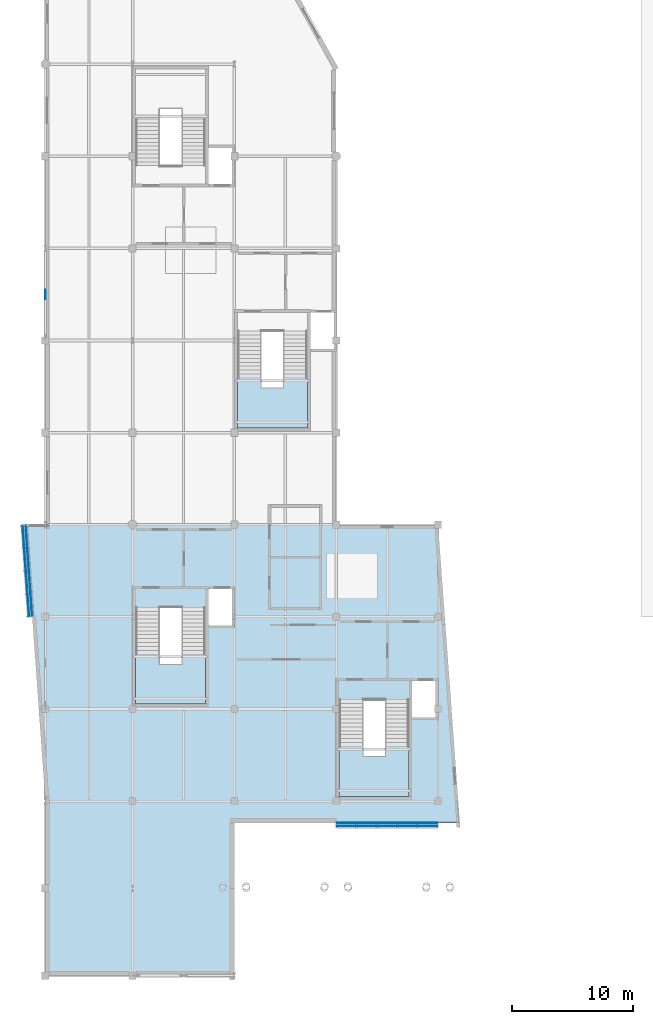
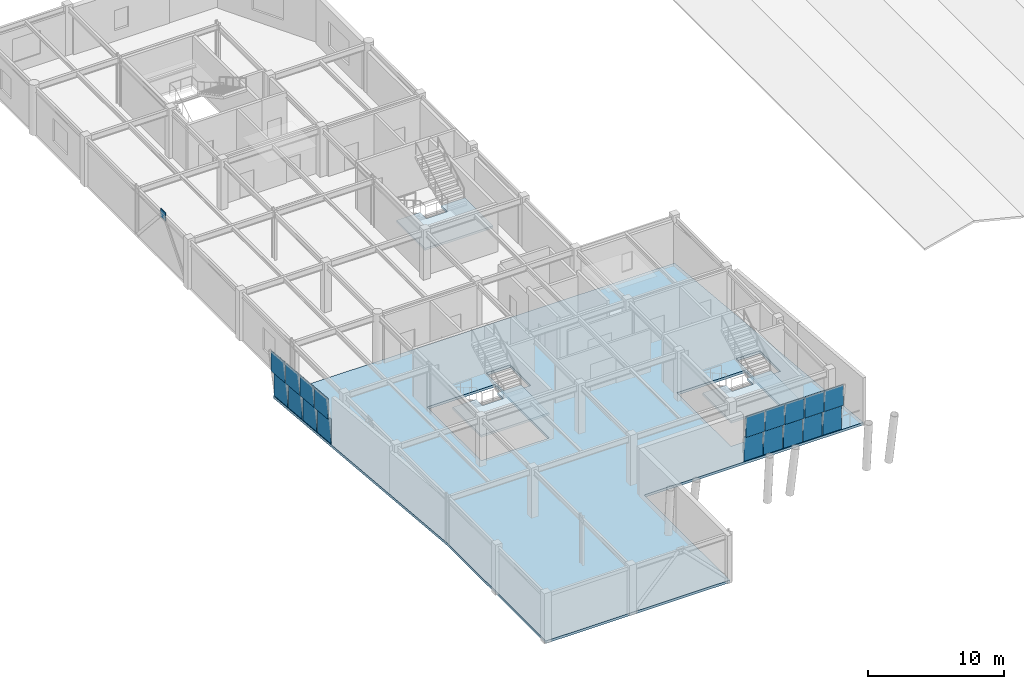
# One storey, part 12 of 28: 19 plates, 4 slabs, 5 elements without a shape of their own.
"""IFC4 building model written with IfcOpenShell, lengths in metres."""

from ifc_helpers import new_model, si_unit, direction, frame, origin, origin_2d, place, context, subcontext, project, spatial, polyline, rectangle, outline, extrude, material, layer, layer_set, type_object, element, aggregate, save


model = new_model("IFC4")

# Units and contexts
model_context = context("Model", 3, precision=1e-05, world=origin(), true_north=direction((0.0, 1.0)))
body_context = subcontext(model_context, "Body", "Model", "MODEL_VIEW")
ifc_project = project(units=[si_unit("LENGTHUNIT", "METRE"), si_unit("AREAUNIT", "SQUARE_METRE"), si_unit("VOLUMEUNIT", "CUBIC_METRE"), si_unit("PLANEANGLEUNIT", "RADIAN"), si_unit("MASSUNIT", "GRAM", prefix="KILO")], contexts=[model_context])

# Site, building, storey
site_placement = place(None, origin())
site = spatial("IfcSite", under=ifc_project, at=site_placement, CompositionType="ELEMENT")
building_placement = place(site_placement, origin())
building = spatial("IfcBuilding", under=site, at=building_placement, Name="Xicomal Pleat Aquarium", CompositionType="ELEMENT")
storey_placement = place(building_placement, frame((0.0, 0.0, 15.300048828125)))
storey = spatial("IfcBuildingStorey", under=building, at=storey_placement, Name="L04", CompositionType="ELEMENT", Elevation=15.300048828125)

# Curtain wall, plates
ifc_material_1 = material(Name="Bronze anodized aluminium 6063-T6", Category="aluminium")
ifc_layer_1 = layer(ifc_material_1, 0.159912109375)
ifc_layer_set_1 = layer_set([ifc_layer_1], Name="Bronze anodized aluminium 6063-T6")
curtain_wall_type_1 = type_object("IfcCurtainWallType", Name="CW-SYS-09", PredefinedType="NOTDEFINED", material=ifc_layer_set_1)
curtain_wall_1_placement = place(storey_placement, origin())
curtain_wall_1 = element("IfcCurtainWall", 1, at=curtain_wall_1_placement, inside=storey, type_object=curtain_wall_type_1, Name="L04 unitised curtain wall CW-L04-172", PredefinedType="NOTDEFINED")
ifc_material_2 = material(Name="Insulated low-E laminated glass", Category="glass")
ifc_layer_2 = layer(ifc_material_2, 0.028076171875)
ifc_layer_set_2 = layer_set([ifc_layer_2], Name="Insulated low-E laminated glass")
plate_type_1 = type_object("IfcPlateType", Name="CWP-GLZ-28", PredefinedType="CURTAIN_PANEL", material=ifc_layer_set_2)
plate_1_placement = place(storey_placement, frame((1.85107421875, 31.36865234375, 0.074951171875), z_axis=(0.0, 0.0, 1.0), x_axis=(-0.07087395407, 0.997485279407, 0.0)))
plate_1 = element("IfcPlate", 2, at=plate_1_placement, type_object=plate_type_1, Name="CW-09 panel 1.1", PredefinedType="CURTAIN_PANEL", context=body_context, shape_type="SweptSolid", body=[
    extrude(rectangle(XDim=1.792236328125, YDim=0.028076171875, at=origin_2d()), origin(), (0.0, 0.0, 1.0), 2.20458984375),
])
plate_2_placement = place(storey_placement, frame((1.600341796875, 31.350830078125, 2.3544921875), z_axis=(0.0, 0.0, 1.0), x_axis=(-0.07087395407, 0.997485279407, 0.0)))
plate_2 = element("IfcPlate", 3, at=plate_2_placement, type_object=plate_type_1, Name="CW-09 panel 1.2", PredefinedType="CURTAIN_PANEL", context=body_context, shape_type="SweptSolid", body=[
    extrude(rectangle(XDim=1.792236328125, YDim=0.028076171875, at=origin_2d()), origin(), (0.0, 0.0, 1.0), 1.860595703125),
])
plate_3_placement = place(storey_placement, frame((1.717529296875, 33.25, 0.074951171875), z_axis=(0.0, 0.0, 1.0), x_axis=(-0.07087395407, 0.997485279407, 0.0)))
plate_3 = element("IfcPlate", 4, at=plate_3_placement, type_object=plate_type_1, Name="CW-09 panel 2.1", PredefinedType="CURTAIN_PANEL", context=body_context, shape_type="SweptSolid", body=[
    extrude(rectangle(XDim=1.829833984375, YDim=0.028076171875, at=origin_2d()), origin(), (0.0, 0.0, 1.0), 2.20458984375),
])
plate_4_placement = place(storey_placement, frame((1.466796875, 33.232177734375, 2.3544921875), z_axis=(0.0, 0.0, 1.0), x_axis=(-0.07087395407, 0.997485279407, 0.0)))
plate_4 = element("IfcPlate", 5, at=plate_4_placement, type_object=plate_type_1, Name="CW-09 panel 2.2", PredefinedType="CURTAIN_PANEL", context=body_context, shape_type="SweptSolid", body=[
    extrude(rectangle(XDim=1.829833984375, YDim=0.028076171875, at=origin_2d()), origin(), (0.0, 0.0, 1.0), 1.860595703125),
])
plate_5_placement = place(storey_placement, frame((1.58251953125, 35.14990234375, 0.074951171875), z_axis=(0.0, 0.0, 1.0), x_axis=(-0.07087395407, 0.997485279407, 0.0)))
plate_5 = element("IfcPlate", 6, at=plate_5_placement, type_object=plate_type_1, Name="CW-09 panel 3.1", PredefinedType="CURTAIN_PANEL", context=body_context, shape_type="SweptSolid", body=[
    extrude(rectangle(XDim=1.829833984375, YDim=0.028076171875, at=origin_2d()), origin(), (0.0, 0.0, 1.0), 2.20458984375),
])
plate_6_placement = place(storey_placement, frame((1.331787109375, 35.132080078125, 2.3544921875), z_axis=(0.0, 0.0, 1.0), x_axis=(-0.07087395407, 0.997485279407, 0.0)))
plate_6 = element("IfcPlate", 7, at=plate_6_placement, type_object=plate_type_1, Name="CW-09 panel 3.2", PredefinedType="CURTAIN_PANEL", context=body_context, shape_type="SweptSolid", body=[
    extrude(rectangle(XDim=1.829833984375, YDim=0.028076171875, at=origin_2d()), origin(), (0.0, 0.0, 1.0), 1.860595703125),
])
plate_7_placement = place(storey_placement, frame((1.44873046875, 37.03125, 0.074951171875), z_axis=(0.0, 0.0, 1.0), x_axis=(-0.07087395407, 0.997485279407, 0.0)))
plate_7 = element("IfcPlate", 8, at=plate_7_placement, type_object=plate_type_1, Name="CW-09 panel 4.1", PredefinedType="CURTAIN_PANEL", context=body_context, shape_type="SweptSolid", body=[
    extrude(rectangle(XDim=1.792236328125, YDim=0.028076171875, at=origin_2d()), origin(), (0.0, 0.0, 1.0), 2.20458984375),
])
plate_8_placement = place(storey_placement, frame((1.197998046875, 37.013427734375, 2.3544921875), z_axis=(0.0, 0.0, 1.0), x_axis=(-0.07087395407, 0.997485279407, 0.0)))
plate_8 = element("IfcPlate", 9, at=plate_8_placement, type_object=plate_type_1, Name="CW-09 panel 4.2", PredefinedType="CURTAIN_PANEL", context=body_context, shape_type="SweptSolid", body=[
    extrude(rectangle(XDim=1.792236328125, YDim=0.028076171875, at=origin_2d()), origin(), (0.0, 0.0, 1.0), 1.860595703125),
])
aggregate(curtain_wall_1, [plate_1, plate_2, plate_3, plate_4, plate_5, plate_6, plate_7, plate_8])

ifc_material_3 = material(Name="Bronze anodized aluminium 6063-T6", Category="aluminium")
ifc_layer_3 = layer(ifc_material_3, 0.159912109375)
ifc_layer_set_3 = layer_set([ifc_layer_3], Name="Bronze anodized aluminium 6063-T6")
curtain_wall_type_2 = type_object("IfcCurtainWallType", Name="CW-SYS-04", PredefinedType="NOTDEFINED", material=ifc_layer_set_3)
curtain_wall_2_placement = place(storey_placement, origin())
curtain_wall_2 = element("IfcCurtainWall", 10, at=curtain_wall_2_placement, inside=storey, type_object=curtain_wall_type_2, Name="L04 unitised curtain wall CW-L04-171", PredefinedType="NOTDEFINED")
ifc_material_4 = material(Name="Insulated low-E laminated glass", Category="glass")
ifc_layer_4 = layer(ifc_material_4, 0.0419921875)
ifc_layer_set_4 = layer_set([ifc_layer_4], Name="Insulated low-E laminated glass")
plate_type_2 = type_object("IfcPlateType", Name="CWP-GLZ-42", PredefinedType="CURTAIN_PANEL", material=ifc_layer_set_4)
plate_9_placement = place(storey_placement, frame((34.543701171875, 13.3798828125, 0.06494140625), z_axis=(0.0, 0.0, 1.0), x_axis=(-1.0, 0.0, 0.0)))
plate_9 = element("IfcPlate", 11, at=plate_9_placement, type_object=plate_type_2, Name="CW-04 panel 1.1", PredefinedType="CURTAIN_PANEL", context=body_context, shape_type="SweptSolid", body=[
    extrude(rectangle(XDim=1.58251953125, YDim=0.0419921875, at=origin_2d()), origin(), (0.0, 0.0, 1.0), 2.219482421875),
])
plate_10_placement = place(storey_placement, frame((34.543701171875, 13.1279296875, 2.349609375), z_axis=(0.0, 0.0, 1.0), x_axis=(-1.0, 0.0, 0.0)))
plate_10 = element("IfcPlate", 12, at=plate_10_placement, type_object=plate_type_2, Name="CW-04 panel 1.2", PredefinedType="CURTAIN_PANEL", context=body_context, shape_type="SweptSolid", body=[
    extrude(rectangle(XDim=1.58251953125, YDim=0.0419921875, at=origin_2d()), origin(), (0.0, 0.0, 1.0), 1.87548828125),
])
plate_11_placement = place(storey_placement, frame((32.8798828125, 13.3798828125, 0.06494140625), z_axis=(0.0, 0.0, 1.0), x_axis=(-1.0, 0.0, 0.0)))
plate_11 = element("IfcPlate", 13, at=plate_11_placement, type_object=plate_type_2, Name="CW-04 panel 2.1", PredefinedType="CURTAIN_PANEL", context=body_context, shape_type="SweptSolid", body=[
    extrude(rectangle(XDim=1.614990234375, YDim=0.0419921875, at=origin_2d()), origin(), (0.0, 0.0, 1.0), 2.219482421875),
])
plate_12_placement = place(storey_placement, frame((32.8798828125, 13.1279296875, 2.349609375), z_axis=(0.0, 0.0, 1.0), x_axis=(-1.0, 0.0, 0.0)))
plate_12 = element("IfcPlate", 14, at=plate_12_placement, type_object=plate_type_2, Name="CW-04 panel 2.2", PredefinedType="CURTAIN_PANEL", context=body_context, shape_type="SweptSolid", body=[
    extrude(rectangle(XDim=1.614990234375, YDim=0.0419921875, at=origin_2d()), origin(), (0.0, 0.0, 1.0), 1.87548828125),
])
plate_13_placement = place(storey_placement, frame((31.199951171875, 13.3798828125, 0.06494140625), z_axis=(0.0, 0.0, 1.0), x_axis=(-1.0, 0.0, 0.0)))
plate_13 = element("IfcPlate", 15, at=plate_13_placement, type_object=plate_type_2, Name="CW-04 panel 3.1", PredefinedType="CURTAIN_PANEL", context=body_context, shape_type="SweptSolid", body=[
    extrude(rectangle(XDim=1.614990234375, YDim=0.0419921875, at=origin_2d()), origin(), (0.0, 0.0, 1.0), 2.219482421875),
])
plate_14_placement = place(storey_placement, frame((31.199951171875, 13.1279296875, 2.349609375), z_axis=(0.0, 0.0, 1.0), x_axis=(-1.0, 0.0, 0.0)))
plate_14 = element("IfcPlate", 16, at=plate_14_placement, type_object=plate_type_2, Name="CW-04 panel 3.2", PredefinedType="CURTAIN_PANEL", context=body_context, shape_type="SweptSolid", body=[
    extrude(rectangle(XDim=1.614990234375, YDim=0.0419921875, at=origin_2d()), origin(), (0.0, 0.0, 1.0), 1.87548828125),
])
plate_15_placement = place(storey_placement, frame((29.52001953125, 13.3798828125, 0.06494140625), z_axis=(0.0, 0.0, 1.0), x_axis=(-1.0, 0.0, 0.0)))
plate_15 = element("IfcPlate", 17, at=plate_15_placement, type_object=plate_type_2, Name="CW-04 panel 4.1", PredefinedType="CURTAIN_PANEL", context=body_context, shape_type="SweptSolid", body=[
    extrude(rectangle(XDim=1.614990234375, YDim=0.0419921875, at=origin_2d()), origin(), (0.0, 0.0, 1.0), 2.219482421875),
])
plate_16_placement = place(storey_placement, frame((29.52001953125, 13.1279296875, 2.349609375), z_axis=(0.0, 0.0, 1.0), x_axis=(-1.0, 0.0, 0.0)))
plate_16 = element("IfcPlate", 18, at=plate_16_placement, type_object=plate_type_2, Name="CW-04 panel 4.2", PredefinedType="CURTAIN_PANEL", context=body_context, shape_type="SweptSolid", body=[
    extrude(rectangle(XDim=1.614990234375, YDim=0.0419921875, at=origin_2d()), origin(), (0.0, 0.0, 1.0), 1.87548828125),
])
plate_17_placement = place(storey_placement, frame((27.856201171875, 13.3798828125, 0.06494140625), z_axis=(0.0, 0.0, 1.0), x_axis=(-1.0, 0.0, 0.0)))
plate_17 = element("IfcPlate", 19, at=plate_17_placement, type_object=plate_type_2, Name="CW-04 panel 5.1", PredefinedType="CURTAIN_PANEL", context=body_context, shape_type="SweptSolid", body=[
    extrude(rectangle(XDim=1.58251953125, YDim=0.0419921875, at=origin_2d()), origin(), (0.0, 0.0, 1.0), 2.219482421875),
])
plate_18_placement = place(storey_placement, frame((27.856201171875, 13.1279296875, 2.349609375), z_axis=(0.0, 0.0, 1.0), x_axis=(-1.0, 0.0, 0.0)))
plate_18 = element("IfcPlate", 20, at=plate_18_placement, type_object=plate_type_2, Name="CW-04 panel 5.2", PredefinedType="CURTAIN_PANEL", context=body_context, shape_type="SweptSolid", body=[
    extrude(rectangle(XDim=1.58251953125, YDim=0.0419921875, at=origin_2d()), origin(), (0.0, 0.0, 1.0), 1.87548828125),
])
aggregate(curtain_wall_2, [plate_9, plate_10, plate_11, plate_12, plate_13, plate_14, plate_15, plate_16, plate_17, plate_18])

# Plate
ifc_material_5 = material(Name="Structural steel A992 Gr 50", Category="steel")
ifc_layer_5 = layer(ifc_material_5, 0.044921875)
ifc_layer_set_5 = layer_set([ifc_layer_5], Name="Structural steel A992 Gr 50")
plate_type_3 = type_object("IfcPlateType", Name="PLT-GUS-45", PredefinedType="USERDEFINED", material=ifc_layer_set_5)
plate_19_placement = place(storey_placement, frame((3.0, 57.0, 3.77490234375), z_axis=(0.0, 0.0, 1.0), x_axis=(0.0, 1.0, 0.0)))
element("IfcPlate", 21, at=plate_19_placement, inside=storey, type_object=plate_type_3, Name="L04 chevron gusset node plate 10", ObjectType="GUSSET PLATE", PredefinedType="USERDEFINED", context=body_context, shape_type="SweptSolid", body=[
    extrude(rectangle(XDim=0.75, YDim=0.044921875, at=origin_2d()), origin(), (0.0, 0.0, 1.0), 0.75),
])

# Slab
ifc_material_6 = material(Name="Concrete C35/45", Category="concrete")
ifc_layer_6 = layer(ifc_material_6, 0.22509765625)
ifc_layer_set_6 = layer_set([ifc_layer_6], Name="Concrete C35/45")
slab_type_1 = type_object("IfcSlabType", Name="SLB-FLR-225", PredefinedType="FLOOR", material=ifc_layer_set_6)
slab_1_placement = place(storey_placement, frame((0.0, 0.0, -0.22509765625)))
element("IfcSlab", 22, at=slab_1_placement, inside=storey, type_object=slab_type_1, Name="L04 structural slab V6", PredefinedType="FLOOR", context=body_context, shape_type="SweptSolid", body=[
    extrude(outline(polyline([(3.0, 15.199951171875), (1.3798828125, 38.0), (35.39990234375, 38.0), (37.199951171875, 13.3798828125), (18.60009765625, 13.3798828125), (18.60009765625, 0.800048828125), (3.0, 0.800048828125), (3.0, 15.199951171875)]), holes=[polyline([(10.43994140625, 23.199951171875), (16.219970703125, 23.199951171875), (16.219970703125, 31.1201171875), (10.43994140625, 31.1201171875), (10.43994140625, 23.199951171875)]), polyline([(16.360107421875, 29.699951171875), (18.39990234375, 29.699951171875), (18.39990234375, 32.699951171875), (16.360107421875, 32.699951171875), (16.360107421875, 29.699951171875)]), polyline([(27.239990234375, 15.60009765625), (33.02001953125, 15.60009765625), (33.02001953125, 23.52001953125), (27.239990234375, 23.52001953125), (27.239990234375, 15.60009765625)]), polyline([(33.159912109375, 22.10009765625), (35.199951171875, 22.10009765625), (35.199951171875, 25.10009765625), (33.159912109375, 25.10009765625), (33.159912109375, 22.10009765625)])]), origin(), (0.0, 0.0, 1.0), 0.22509765625),
])

# Stair, slab
ifc_material_7 = material(Name="Concrete C35/45", Category="concrete")
stair_type = type_object("IfcStairType", Name="STR-HT-4500-2200", PredefinedType="HALF_TURN_STAIR", material=ifc_material_7)
stair_1_placement = place(storey_placement, origin())
stair_1 = element("IfcStair", 23, at=stair_1_placement, inside=storey, type_object=stair_type, Name="ST-01 fire exit stair L04 to L05", PredefinedType="HALF_TURN_STAIR")
ifc_material_8 = material(Name="Concrete C35/45", Category="concrete")
ifc_layer_7 = layer(ifc_material_8, 0.195068359375)
ifc_layer_set_7 = layer_set([ifc_layer_7], Name="Concrete C35/45")
slab_type_2 = type_object("IfcSlabType", Name="SLB-LND-195", PredefinedType="LANDING", material=ifc_layer_set_7)
slab_2_placement = place(storey_placement, frame((0.0, 0.0, 2.054931640625)))
slab_2 = element("IfcSlab", 24, at=slab_2_placement, type_object=slab_type_2, Name="ST-01 landing 1", PredefinedType="LANDING", context=body_context, shape_type="SweptSolid", body=[
    extrude(outline(polyline([(10.43994140625, 23.199951171875), (16.219970703125, 23.199951171875), (16.219970703125, 27.3759765625), (14.219970703125, 27.3759765625), (14.219970703125, 26.466064453125), (12.43994140625, 26.466064453125), (12.43994140625, 27.3759765625), (10.43994140625, 27.3759765625), (10.43994140625, 23.199951171875)])), origin(), (0.0, 0.0, 1.0), 0.195068359375),
])
aggregate(stair_1, [slab_2])

stair_2_placement = place(storey_placement, origin())
stair_2 = element("IfcStair", 25, at=stair_2_placement, inside=storey, type_object=stair_type, Name="ST-02 fire exit stair L04 to L05", PredefinedType="HALF_TURN_STAIR")
slab_3_placement = place(storey_placement, frame((0.0, 0.0, 2.054931640625)))
slab_3 = element("IfcSlab", 26, at=slab_3_placement, type_object=slab_type_2, Name="ST-02 landing 1", PredefinedType="LANDING", context=body_context, shape_type="SweptSolid", body=[
    extrude(outline(polyline([(27.239990234375, 15.60009765625), (33.02001953125, 15.60009765625), (33.02001953125, 19.77587890625), (31.02001953125, 19.77587890625), (31.02001953125, 18.865966796875), (29.239990234375, 18.865966796875), (29.239990234375, 19.77587890625), (27.239990234375, 19.77587890625), (27.239990234375, 15.60009765625)])), origin(), (0.0, 0.0, 1.0), 0.195068359375),
])
aggregate(stair_2, [slab_3])

stair_3_placement = place(storey_placement, origin())
stair_3 = element("IfcStair", 27, at=stair_3_placement, inside=storey, type_object=stair_type, Name="ST-04 fire exit stair L04 to L05", PredefinedType="HALF_TURN_STAIR")
slab_4_placement = place(storey_placement, frame((0.0, 0.0, 2.054931640625)))
slab_4 = element("IfcSlab", 28, at=slab_4_placement, type_object=slab_type_2, Name="ST-04 landing 1", PredefinedType="LANDING", context=body_context, shape_type="SweptSolid", body=[
    extrude(outline(polyline([(18.840087890625, 46.0), (24.6201171875, 46.0), (24.6201171875, 50.176025390625), (22.6201171875, 50.176025390625), (22.6201171875, 49.26611328125), (20.840087890625, 49.26611328125), (20.840087890625, 50.176025390625), (18.840087890625, 50.176025390625), (18.840087890625, 46.0)])), origin(), (0.0, 0.0, 1.0), 0.195068359375),
])
aggregate(stair_3, [slab_4])

save(model, "model.ifc")
